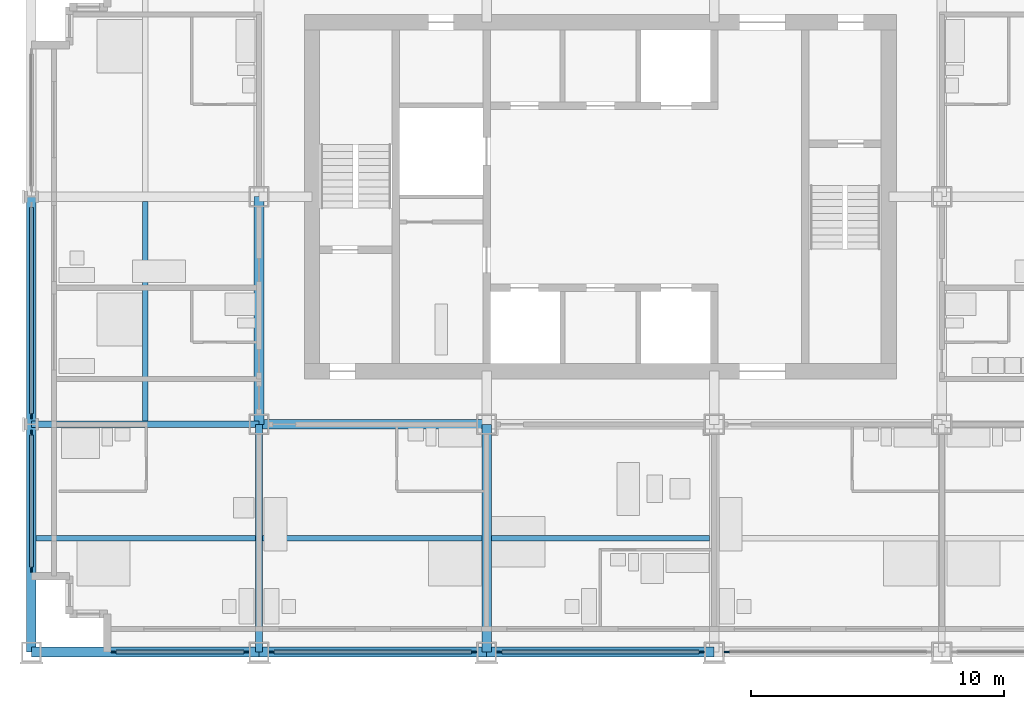
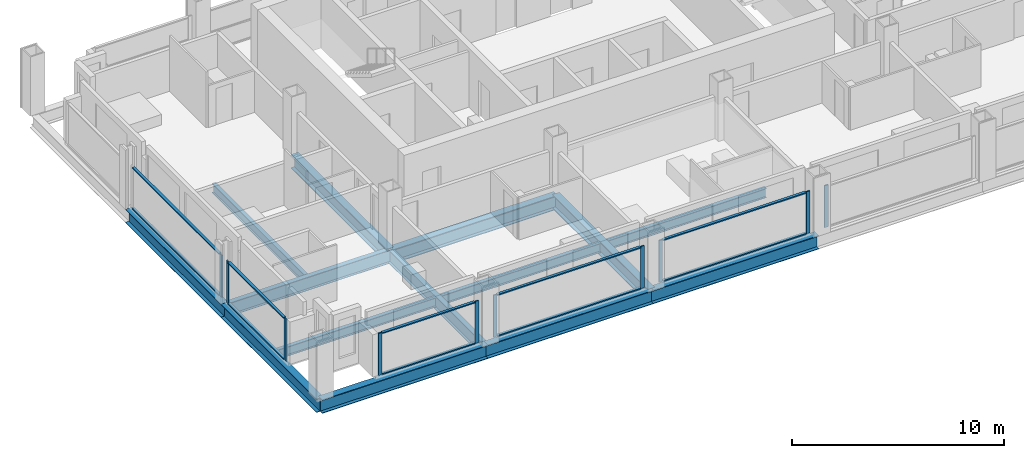
# One storey, part 2 of 13: 20 members, 14 beams, 6 elements without a shape of their own.
"""IFC4 building model written with IfcOpenShell, lengths in metres."""

import ifcopenshell
import ifcopenshell.guid

model = None  # the IFC model being written
_history = None  # IfcOwnerHistory: only IFC2X3 demands one
_inside = {}  # id of a spatial element -> (the spatial element, [elements in it])
_under = {}  # id of a project, library or spatial element -> (it, [spatial elements below it])
_declared = {}  # id of a project -> (the project, [libraries it declares])
_typed = {}  # id of a type object -> (the type object, [elements of that type])
_made_of = {}  # id of a material, layer set ... -> (it, [elements and type objects made of it])


def new_model(schema):
    """Start an empty IFC model of exactly this schema.

    Asked for "IFC4X3", IfcOpenShell would pick the latest addendum, in which some entities
    have other attributes; the version numbers below select the first issue.
    IFC2X3 requires an IfcOwnerHistory on every rooted entity: one is made here for all.
    """
    global model, _history
    if schema == "IFC4X3":
        model = ifcopenshell.file(schema_version=(4, 3, 0, 0))
    else:
        model = ifcopenshell.file(schema=schema)
    _inside.clear()
    _under.clear()
    _declared.clear()
    _typed.clear()
    _made_of.clear()
    _history = None
    if model.schema == "IFC2X3":
        org = make("IfcOrganization", Name="unknown")
        user = make(
            "IfcPersonAndOrganization",
            ThePerson=make("IfcPerson", FamilyName="unknown"),
            TheOrganization=org,
        )
        app = make(
            "IfcApplication",
            ApplicationDeveloper=org,
            Version="unknown",
            ApplicationFullName="unknown",
            ApplicationIdentifier="unknown",
        )
        _history = make(
            "IfcOwnerHistory",
            OwningUser=user,
            OwningApplication=app,
            ChangeAction="ADDED",
            CreationDate=0,
        )
    return model


def make(cls, **values):
    """One entity of the class cls with the attributes given. An attribute that is None is left unset."""
    return model.create_entity(
        cls, **{name: value for name, value in values.items() if value is not None}
    )


def rooted(cls, **values):
    """An entity with a GlobalId (a new one), such as an element, a storey or a relation."""
    return make(cls, GlobalId=ifcopenshell.guid.new(), OwnerHistory=_history, **values)


def si_unit(unit_type, name, prefix=None):
    """IfcSIUnit, for example si_unit("LENGTHUNIT", "METRE", prefix="MILLI")."""
    return make("IfcSIUnit", UnitType=unit_type, Prefix=prefix, Name=name)


def assignment(units):
    """IfcUnitAssignment: the units of a project."""
    return None if units is None else make("IfcUnitAssignment", Units=units)


def point(xyz):
    """IfcCartesianPoint."""
    return None if xyz is None else make("IfcCartesianPoint", Coordinates=xyz)


def direction(xyz):
    """IfcDirection."""
    return None if xyz is None else make("IfcDirection", DirectionRatios=xyz)


def frame(location, z_axis=None, x_axis=None):
    """IfcAxis2Placement3D, a coordinate frame: its origin and axes. An axis left out is left unset."""
    return make(
        "IfcAxis2Placement3D",
        Location=point(location),
        Axis=direction(z_axis),
        RefDirection=direction(x_axis),
    )


def frame_2d(location, x_axis=None):
    """IfcAxis2Placement2D, a coordinate frame in the plane: its origin and x axis."""
    return make(
        "IfcAxis2Placement2D", Location=point(location), RefDirection=direction(x_axis)
    )


def origin():
    """The frame at (0, 0, 0) with its axes left unset."""
    return frame((0.0, 0.0, 0.0))


def origin_2d():
    """The frame at (0, 0) in the plane with its x axis left unset."""
    return frame_2d((0.0, 0.0))


def place(relative_to, where):
    """IfcLocalPlacement: puts the frame where relative to a parent placement (None: the world)."""
    return make(
        "IfcLocalPlacement", PlacementRelTo=relative_to, RelativePlacement=where
    )


def context(
    kind, dimensions, precision=None, world=None, true_north=None, identifier=None
):
    """IfcGeometricRepresentationContext, for example the 3D "Model" context."""
    return make(
        "IfcGeometricRepresentationContext",
        ContextIdentifier=identifier,
        ContextType=kind,
        CoordinateSpaceDimension=dimensions,
        Precision=precision,
        WorldCoordinateSystem=world,
        TrueNorth=true_north,
    )


def subcontext(parent, identifier, kind, view, scale=None):
    """IfcGeometricRepresentationSubContext, for example "Body" below "Model"."""
    return make(
        "IfcGeometricRepresentationSubContext",
        ContextIdentifier=identifier,
        ContextType=kind,
        ParentContext=parent,
        TargetScale=scale,
        TargetView=view,
    )


def project(units=None, contexts=None):
    """IfcProject with its units and contexts."""
    return rooted(
        "IfcProject",
        Name="project",
        RepresentationContexts=contexts,
        UnitsInContext=assignment(units),
    )


def spatial(cls, under=None, at=None, **own):
    """A site, building, storey or space (cls), placed at a placement, below another one or the project."""
    s = rooted(cls, ObjectPlacement=at, **own)
    if under is not None:
        _under.setdefault(under.id(), (under, []))[1].append(s)
    return s


def profile(cls, at=None, kind="AREA", **sizes):
    """A parametric profile (cls). Its sizes go by their IFC names, for example OverallWidth=200.0."""
    return make(cls, ProfileType=kind, Position=at, **sizes)


def rectangle(**sizes):
    """IfcRectangleProfileDef."""
    return profile("IfcRectangleProfileDef", **sizes)


def i_section(**sizes):
    """IfcIShapeProfileDef."""
    return profile("IfcIShapeProfileDef", **sizes)


def extrude(swept, where, along, depth):
    """IfcExtrudedAreaSolid: the profile swept, set in the frame where, extruded along a direction by depth."""
    return make(
        "IfcExtrudedAreaSolid",
        SweptArea=swept,
        Position=where,
        ExtrudedDirection=direction(along),
        Depth=depth,
    )


def shape(context_of_items, identifier, shape_type, items):
    """IfcShapeRepresentation: the items that make up one representation, for example the "Body"."""
    return make(
        "IfcShapeRepresentation",
        ContextOfItems=context_of_items,
        RepresentationIdentifier=identifier,
        RepresentationType=shape_type,
        Items=items,
    )


def material(Name=None, Category=None):
    """IfcMaterial."""
    return make("IfcMaterial", Name=Name, Category=Category)


def material_profile(
    of_material, cross_section, Name=None, Category=None, Priority=None
):
    """IfcMaterialProfile: a cross section and its material."""
    return make(
        "IfcMaterialProfile",
        Name=Name,
        Material=of_material,
        Profile=cross_section,
        Priority=Priority,
        Category=Category,
    )


def profile_set(profiles, Name=None, composite=None):
    """IfcMaterialProfileSet."""
    return make(
        "IfcMaterialProfileSet",
        Name=Name,
        MaterialProfiles=profiles,
        CompositeProfile=composite,
    )


def made_of(thing, what):
    """Note that an element or type object is made of a material, layer set ...; save() writes the relation."""
    if what is not None:
        _made_of.setdefault(what.id(), (what, []))[1].append(thing)
    return thing


def type_object(cls, material=None, **own):
    """A type object (cls), such as IfcWallType, which elements share."""
    return made_of(rooted(cls, **own), material)


def element(
    cls,
    number,
    at=None,
    inside=None,
    cuts=None,
    type_object=None,
    material=None,
    context=None,
    identifier="Body",
    shape_type=None,
    held_by="IfcProductDefinitionShape",
    body=None,
    shapes=None,
    **own,
):
    """One element of the class cls, such as IfcWall. Its Tag is "e" and its number.

    at: its placement. inside: the storey or other place that contains it. cuts: it is an
    opening in that element (IfcRelVoidsElement). A single representation is given by context,
    identifier, shape_type and body (its items); several are given by shapes. held_by: the class
    of the entity that holds the representations. save() writes the other relations.
    """
    e = rooted(cls, Tag="e%d" % number, ObjectPlacement=at, **own)
    if body is not None:
        shapes = [shape(context, identifier, shape_type, body)]
    if shapes is not None:
        e.Representation = make(held_by, Representations=shapes)
    if inside is not None:
        _inside.setdefault(inside.id(), (inside, []))[1].append(e)
    if cuts is not None:
        rooted(
            "IfcRelVoidsElement", RelatingBuildingElement=cuts, RelatedOpeningElement=e
        )
    if type_object is not None:
        _typed.setdefault(type_object.id(), (type_object, []))[1].append(e)
    return made_of(e, material)


def aggregate(whole, parts):
    """IfcRelAggregates: a whole, such as a stair, and the parts it consists of."""
    return rooted("IfcRelAggregates", RelatingObject=whole, RelatedObjects=parts)


def save(model, path):
    """Write the relations noted so far, then the file.

    IfcRelAggregates (storeys below a building ...), IfcRelContainedInSpatialStructure (elements
    in a storey), IfcRelDefinesByType, IfcRelAssociatesMaterial and IfcRelDeclares: one each for
    every whole, place, type object, material and project.
    """
    for whole, parts in _under.values():
        aggregate(whole, parts)
    for where, things in _inside.values():
        rooted(
            "IfcRelContainedInSpatialStructure",
            RelatedElements=things,
            RelatingStructure=where,
        )
    for kind, things in _typed.values():
        rooted("IfcRelDefinesByType", RelatedObjects=things, RelatingType=kind)
    for what, things in _made_of.values():
        rooted("IfcRelAssociatesMaterial", RelatedObjects=things, RelatingMaterial=what)
    for by, libraries in _declared.values():
        rooted("IfcRelDeclares", RelatingContext=by, RelatedDefinitions=libraries)
    model.write(path)


model = new_model("IFC4")

# Units and contexts
model_context = context("Model", 3, precision=1e-05, world=origin(), true_north=direction((0.0, 1.0)))
body_context = subcontext(model_context, "Body", "Model", "MODEL_VIEW")
ifc_project = project(units=[si_unit("LENGTHUNIT", "METRE"), si_unit("AREAUNIT", "SQUARE_METRE"), si_unit("VOLUMEUNIT", "CUBIC_METRE"), si_unit("PLANEANGLEUNIT", "RADIAN"), si_unit("MASSUNIT", "GRAM", prefix="KILO")], contexts=[model_context])

# Site, building, storey
site_placement = place(None, origin())
site = spatial("IfcSite", under=ifc_project, at=site_placement, CompositionType="ELEMENT")
building_placement = place(site_placement, origin())
building = spatial("IfcBuilding", under=site, at=building_placement, Name="Loomwork Tower", CompositionType="ELEMENT")
storey_placement = place(building_placement, frame((0.0, 0.0, 174.0)))
storey = spatial("IfcBuildingStorey", under=building, at=storey_placement, Name="L47", CompositionType="ELEMENT", Elevation=174.0)

# Beams
ifc_material_1 = material(Name="Steel ASTM A992", Category="steel")
ifc_material_profile_1 = material_profile(ifc_material_1, i_section(OverallWidth=0.383544921875, OverallDepth=0.794921875, WebThickness=0.02099609375, FlangeThickness=0.0380859375, at=origin_2d()), Name="W30x235")
ifc_profile_set_1 = profile_set([ifc_material_profile_1], Name="Steel ASTM A992")
beam_type_1 = type_object("IfcBeamType", Name="CORE FLANK GIRDER W30x235", PredefinedType="BEAM", material=ifc_profile_set_1)
for number, where, z_axis, x_axis, name in (
    (1, (9.0, 9.0, -0.597412109375), (1.0, 0.0, 0.0), (0.0, 1.0, 0.0), "Core Flank Girder E/3-E/4 L47"),
    (2, (9.0, 9.0, -0.597412109375), (0.0, 1.0, 0.0), (-1.0, 0.0, 0.0), "Core Flank Girder E/3-F/3 L47"),
    (3, (18.0, 0.0, -0.597412109375), (0.0, 1.0, 0.0), (-1.0, 0.0, 0.0), "Core Flank Girder D/4-E/4 L47"),
):
    element("IfcBeam", number, at=place(storey_placement, frame(where, z_axis=z_axis, x_axis=x_axis)), inside=storey, type_object=beam_type_1, Name=name, PredefinedType="BEAM", context=body_context, shape_type="SweptSolid", body=[
        extrude(i_section(OverallWidth=0.383544921875, OverallDepth=0.794921875, WebThickness=0.02099609375, FlangeThickness=0.0380859375, at=origin_2d()), origin(), (0.0, 0.0, 1.0), 9.0),
    ])
ifc_material_2 = material(Name="Steel ASTM A992", Category="steel")
ifc_material_profile_2 = material_profile(ifc_material_2, i_section(OverallWidth=0.2666015625, OverallDepth=0.761962890625, WebThickness=0.014404296875, FlangeThickness=0.021484375, at=origin_2d()), Name="W30x116")
ifc_profile_set_2 = profile_set([ifc_material_profile_2], Name="Steel ASTM A992")
beam_type_2 = type_object("IfcBeamType", Name="FLOOR GIRDER W30x116", PredefinedType="BEAM", material=ifc_profile_set_2)
for number, where, z_axis, x_axis, name in (
    (4, (0.0, 9.0, -0.5810546875), (1.0, 0.0, 0.0), (0.0, 1.0, 0.0), "Floor Girder E/2-E/3 L47"),
    (5, (9.0, 0.0, -0.5810546875), (0.0, 1.0, 0.0), (-1.0, 0.0, 0.0), "Floor Girder D/3-E/3 L47"),
):
    element("IfcBeam", number, at=place(storey_placement, frame(where, z_axis=z_axis, x_axis=x_axis)), inside=storey, type_object=beam_type_2, Name=name, PredefinedType="BEAM", context=body_context, shape_type="SweptSolid", body=[
        extrude(i_section(OverallWidth=0.2666015625, OverallDepth=0.761962890625, WebThickness=0.014404296875, FlangeThickness=0.021484375, at=origin_2d()), origin(), (0.0, 0.0, 1.0), 9.0),
    ])
ifc_material_3 = material(Name="Steel ASTM A992", Category="steel")
ifc_material_profile_3 = material_profile(ifc_material_3, i_section(OverallWidth=0.2109375, OverallDepth=0.53857421875, WebThickness=0.011474609375, FlangeThickness=0.018798828125, at=origin_2d()), Name="W21x73")
ifc_profile_set_3 = profile_set([ifc_material_profile_3], Name="Steel ASTM A992")
beam_type_3 = type_object("IfcBeamType", Name="FLOOR JOIST W21x73", PredefinedType="JOIST", material=ifc_profile_set_3)
beam_1_placement = place(storey_placement, frame((0.18994140625, 4.5, -0.46923828125), z_axis=(1.0, 0.0, 0.0), x_axis=(0.0, 1.0, 0.0)))
element("IfcBeam", 6, at=beam_1_placement, inside=storey, type_object=beam_type_3, Name="Floor Joist 0.000,4.500-9.000,4.500 L47", PredefinedType="JOIST", context=body_context, shape_type="SweptSolid", body=[
    extrude(i_section(OverallWidth=0.2109375, OverallDepth=0.53857421875, WebThickness=0.011474609375, FlangeThickness=0.018798828125, at=origin_2d()), origin(), (0.0, 0.0, 1.0), 8.677001953125),
])
for number, where, z_axis, x_axis, name in (
    (7, (4.5, 9.133056640625, -0.46923828125), (0.0, 1.0, 0.0), (-1.0, 0.0, 0.0), "Floor Joist 4.500,9.000-4.500,18.000 L47"),
    (8, (9.133056640625, 4.5, -0.46923828125), (1.0, 0.0, 0.0), (0.0, 1.0, 0.0), "Floor Joist 9.000,4.500-18.000,4.500 L47"),
):
    element("IfcBeam", number, at=place(storey_placement, frame(where, z_axis=z_axis, x_axis=x_axis)), inside=storey, type_object=beam_type_3, Name=name, PredefinedType="JOIST", context=body_context, shape_type="SweptSolid", body=[
        extrude(i_section(OverallWidth=0.2109375, OverallDepth=0.53857421875, WebThickness=0.011474609375, FlangeThickness=0.018798828125, at=origin_2d()), origin(), (0.0, 0.0, 1.0), 8.676025390625),
    ])
beam_2_placement = place(storey_placement, frame((18.19091796875, 4.5, -0.46923828125), z_axis=(1.0, 0.0, 0.0), x_axis=(0.0, 1.0, 0.0)))
element("IfcBeam", 9, at=beam_2_placement, inside=storey, type_object=beam_type_3, Name="Floor Joist 18.000,4.500-27.000,4.500 L47", PredefinedType="JOIST", context=body_context, shape_type="SweptSolid", body=[
    extrude(i_section(OverallWidth=0.2109375, OverallDepth=0.53857421875, WebThickness=0.011474609375, FlangeThickness=0.018798828125, at=origin_2d()), origin(), (0.0, 0.0, 1.0), 8.6181640625),
])

# Curtain wall, members
ifc_material_4 = material(Name="Aluminium curtain wall frame", Category="aluminium")
curtain_wall_type = type_object("IfcCurtainWallType", Name="Outer skin glazing hotel", PredefinedType="NOTDEFINED", material=ifc_material_4)
curtain_wall_1_placement = place(storey_placement, origin())
curtain_wall_1 = element("IfcCurtainWall", 10, at=curtain_wall_1_placement, inside=storey, type_object=curtain_wall_type, Name="Outer skin glazing hotel cw/S-0", PredefinedType="NOTDEFINED")
ifc_material_5 = material(Name="Aluminium curtain wall frame", Category="aluminium")
ifc_material_profile_4 = material_profile(ifc_material_5, rectangle(XDim=0.06494140625, YDim=0.199951171875, at=origin_2d()), Name="AL 65x200")
ifc_profile_set_4 = profile_set([ifc_material_profile_4], Name="Aluminium curtain wall frame")
member_type_1 = type_object("IfcMemberType", Name="Outer skin glazing hotel mullion", PredefinedType="MULLION", material=ifc_profile_set_4)
member_1_placement = place(storey_placement, frame((3.25, 0.0, 0.0), z_axis=(0.0, 0.0, 1.0), x_axis=(0.0, 1.0, 0.0)))
member_1 = element("IfcMember", 11, at=member_1_placement, type_object=member_type_1, Name="CW1 mullion 1", PredefinedType="MULLION", context=body_context, shape_type="SweptSolid", body=[
    extrude(rectangle(XDim=0.06494140625, YDim=0.199951171875, at=origin_2d()), origin(), (0.0, 0.0, 1.0), 2.420166015625),
])
member_2_placement = place(storey_placement, frame((8.5, 0.0, 0.0), z_axis=(0.0, 0.0, 1.0), x_axis=(0.0, 1.0, 0.0)))
member_2 = element("IfcMember", 12, at=member_2_placement, type_object=member_type_1, Name="CW1 mullion 2", PredefinedType="MULLION", context=body_context, shape_type="SweptSolid", body=[
    extrude(rectangle(XDim=0.06494140625, YDim=0.199951171875, at=origin_2d()), origin(), (0.0, 0.0, 1.0), 2.420166015625),
])

curtain_wall_2_placement = place(storey_placement, origin())
curtain_wall_2 = element("IfcCurtainWall", 13, at=curtain_wall_2_placement, inside=storey, type_object=curtain_wall_type, Name="Outer skin glazing hotel cw/S-9", PredefinedType="NOTDEFINED")
member_3_placement = place(storey_placement, frame((9.5, 0.0, 0.0), z_axis=(0.0, 0.0, 1.0), x_axis=(0.0, 1.0, 0.0)))
member_3 = element("IfcMember", 14, at=member_3_placement, type_object=member_type_1, Name="CW1 mullion 1", PredefinedType="MULLION", context=body_context, shape_type="SweptSolid", body=[
    extrude(rectangle(XDim=0.06494140625, YDim=0.199951171875, at=origin_2d()), origin(), (0.0, 0.0, 1.0), 2.420166015625),
])
member_4_placement = place(storey_placement, frame((17.5, 0.0, 0.0), z_axis=(0.0, 0.0, 1.0), x_axis=(0.0, 1.0, 0.0)))
member_4 = element("IfcMember", 15, at=member_4_placement, type_object=member_type_1, Name="CW1 mullion 2", PredefinedType="MULLION", context=body_context, shape_type="SweptSolid", body=[
    extrude(rectangle(XDim=0.06494140625, YDim=0.199951171875, at=origin_2d()), origin(), (0.0, 0.0, 1.0), 2.420166015625),
])

curtain_wall_3_placement = place(storey_placement, origin())
curtain_wall_3 = element("IfcCurtainWall", 16, at=curtain_wall_3_placement, inside=storey, type_object=curtain_wall_type, Name="Outer skin glazing hotel cw/S-18", PredefinedType="NOTDEFINED")
member_5_placement = place(storey_placement, frame((18.5, 0.0, 0.0), z_axis=(0.0, 0.0, 1.0), x_axis=(0.0, 1.0, 0.0)))
member_5 = element("IfcMember", 17, at=member_5_placement, type_object=member_type_1, Name="CW1 mullion 1", PredefinedType="MULLION", context=body_context, shape_type="SweptSolid", body=[
    extrude(rectangle(XDim=0.06494140625, YDim=0.199951171875, at=origin_2d()), origin(), (0.0, 0.0, 1.0), 2.420166015625),
])
member_6_placement = place(storey_placement, frame((26.5, 0.0, 0.0), z_axis=(0.0, 0.0, 1.0), x_axis=(0.0, 1.0, 0.0)))
member_6 = element("IfcMember", 18, at=member_6_placement, type_object=member_type_1, Name="CW1 mullion 2", PredefinedType="MULLION", context=body_context, shape_type="SweptSolid", body=[
    extrude(rectangle(XDim=0.06494140625, YDim=0.199951171875, at=origin_2d()), origin(), (0.0, 0.0, 1.0), 2.420166015625),
])

# Curtain wall, member
curtain_wall_4_placement = place(storey_placement, origin())
curtain_wall_4 = element("IfcCurtainWall", 19, at=curtain_wall_4_placement, inside=storey, type_object=curtain_wall_type, Name="Outer skin glazing hotel cw/S-27", PredefinedType="NOTDEFINED")
member_7_placement = place(storey_placement, frame((27.5, 0.0, 0.0), z_axis=(0.0, 0.0, 1.0), x_axis=(0.0, 1.0, 0.0)))
member_7 = element("IfcMember", 20, at=member_7_placement, type_object=member_type_1, Name="CW1 mullion 1", PredefinedType="MULLION", context=body_context, shape_type="SweptSolid", body=[
    extrude(rectangle(XDim=0.06494140625, YDim=0.199951171875, at=origin_2d()), origin(), (0.0, 0.0, 1.0), 2.420166015625),
])
aggregate(curtain_wall_4, [member_7])

# Curtain wall, members
curtain_wall_5_placement = place(storey_placement, origin())
curtain_wall_5 = element("IfcCurtainWall", 21, at=curtain_wall_5_placement, inside=storey, type_object=curtain_wall_type, Name="Outer skin glazing hotel cw/W-0", PredefinedType="NOTDEFINED")
member_8_placement = place(storey_placement, frame((0.0, 8.67529296875, 0.0), z_axis=(0.0, 0.0, 1.0), x_axis=(1.0, 0.0, 0.0)))
member_8 = element("IfcMember", 22, at=member_8_placement, type_object=member_type_1, Name="CW1 mullion 1", PredefinedType="MULLION", context=body_context, shape_type="SweptSolid", body=[
    extrude(rectangle(XDim=0.06494140625, YDim=0.199951171875, at=origin_2d()), origin(), (0.0, 0.0, 1.0), 2.420166015625),
])
member_9_placement = place(storey_placement, frame((0.0, 3.25, 0.0), z_axis=(0.0, 0.0, 1.0), x_axis=(1.0, 0.0, 0.0)))
member_9 = element("IfcMember", 23, at=member_9_placement, type_object=member_type_1, Name="CW1 mullion 2", PredefinedType="MULLION", context=body_context, shape_type="SweptSolid", body=[
    extrude(rectangle(XDim=0.06494140625, YDim=0.199951171875, at=origin_2d()), origin(), (0.0, 0.0, 1.0), 2.420166015625),
])

# Curtain wall, member
curtain_wall_6_placement = place(storey_placement, origin())
curtain_wall_6 = element("IfcCurtainWall", 24, at=curtain_wall_6_placement, inside=storey, type_object=curtain_wall_type, Name="Outer skin glazing hotel cw/W-9", PredefinedType="NOTDEFINED")
member_10_placement = place(storey_placement, frame((0.0, 9.32470703125, 0.0), z_axis=(0.0, 0.0, 1.0), x_axis=(1.0, 0.0, 0.0)))
member_10 = element("IfcMember", 25, at=member_10_placement, type_object=member_type_1, Name="CW1 mullion 2", PredefinedType="MULLION", context=body_context, shape_type="SweptSolid", body=[
    extrude(rectangle(XDim=0.06494140625, YDim=0.199951171875, at=origin_2d()), origin(), (0.0, 0.0, 1.0), 2.420166015625),
])

# Member
ifc_material_6 = material(Name="Aluminium curtain wall frame", Category="aluminium")
ifc_material_profile_5 = material_profile(ifc_material_6, rectangle(XDim=0.14990234375, YDim=0.06494140625, at=origin_2d()), Name="AL 65x150")
ifc_profile_set_5 = profile_set([ifc_material_profile_5], Name="Aluminium curtain wall frame")
member_type_2 = type_object("IfcMemberType", Name="Outer skin glazing hotel transom", PredefinedType="USERDEFINED", material=ifc_profile_set_5)
member_11_placement = place(storey_placement, frame((3.35009765625, 0.0, 0.032470703125), z_axis=(1.0, 0.0, 0.0), x_axis=(0.0, 1.0, 0.0)))
member_11 = element("IfcMember", 26, at=member_11_placement, type_object=member_type_2, Name="CW1 transom 1.1", ObjectType="TRANSOM", PredefinedType="USERDEFINED", context=body_context, shape_type="SweptSolid", body=[
    extrude(rectangle(XDim=0.14990234375, YDim=0.06494140625, at=origin_2d()), origin(), (0.0, 0.0, 1.0), 5.0498046875),
])

member_12_placement = place(storey_placement, frame((3.35009765625, 0.0, 2.3876953125), z_axis=(1.0, 0.0, 0.0), x_axis=(0.0, 1.0, 0.0)))
member_12 = element("IfcMember", 27, at=member_12_placement, type_object=member_type_2, Name="CW1 transom 1.2", ObjectType="TRANSOM", PredefinedType="USERDEFINED", context=body_context, shape_type="SweptSolid", body=[
    extrude(rectangle(XDim=0.14990234375, YDim=0.06494140625, at=origin_2d()), origin(), (0.0, 0.0, 1.0), 5.0498046875),
])

aggregate(curtain_wall_1, [member_1, member_2, member_11, member_12])

member_13_placement = place(storey_placement, frame((9.60009765625, 0.0, 0.032470703125), z_axis=(1.0, 0.0, 0.0), x_axis=(0.0, 1.0, 0.0)))
member_13 = element("IfcMember", 28, at=member_13_placement, type_object=member_type_2, Name="CW1 transom 1.1", ObjectType="TRANSOM", PredefinedType="USERDEFINED", context=body_context, shape_type="SweptSolid", body=[
    extrude(rectangle(XDim=0.14990234375, YDim=0.06494140625, at=origin_2d()), origin(), (0.0, 0.0, 1.0), 7.7998046875),
])

member_14_placement = place(storey_placement, frame((9.60009765625, 0.0, 2.3876953125), z_axis=(1.0, 0.0, 0.0), x_axis=(0.0, 1.0, 0.0)))
member_14 = element("IfcMember", 29, at=member_14_placement, type_object=member_type_2, Name="CW1 transom 1.2", ObjectType="TRANSOM", PredefinedType="USERDEFINED", context=body_context, shape_type="SweptSolid", body=[
    extrude(rectangle(XDim=0.14990234375, YDim=0.06494140625, at=origin_2d()), origin(), (0.0, 0.0, 1.0), 7.7998046875),
])

aggregate(curtain_wall_2, [member_3, member_4, member_13, member_14])

member_15_placement = place(storey_placement, frame((18.60009765625, 0.0, 0.032470703125), z_axis=(1.0, 0.0, 0.0), x_axis=(0.0, 1.0, 0.0)))
member_15 = element("IfcMember", 30, at=member_15_placement, type_object=member_type_2, Name="CW1 transom 1.1", ObjectType="TRANSOM", PredefinedType="USERDEFINED", context=body_context, shape_type="SweptSolid", body=[
    extrude(rectangle(XDim=0.14990234375, YDim=0.06494140625, at=origin_2d()), origin(), (0.0, 0.0, 1.0), 7.7998046875),
])

member_16_placement = place(storey_placement, frame((18.60009765625, 0.0, 2.3876953125), z_axis=(1.0, 0.0, 0.0), x_axis=(0.0, 1.0, 0.0)))
member_16 = element("IfcMember", 31, at=member_16_placement, type_object=member_type_2, Name="CW1 transom 1.2", ObjectType="TRANSOM", PredefinedType="USERDEFINED", context=body_context, shape_type="SweptSolid", body=[
    extrude(rectangle(XDim=0.14990234375, YDim=0.06494140625, at=origin_2d()), origin(), (0.0, 0.0, 1.0), 7.7998046875),
])

aggregate(curtain_wall_3, [member_5, member_6, member_15, member_16])

member_17_placement = place(storey_placement, frame((0.0, 8.5751953125, 0.032470703125), z_axis=(0.0, -1.0, 0.0), x_axis=(1.0, 0.0, 0.0)))
member_17 = element("IfcMember", 32, at=member_17_placement, type_object=member_type_2, Name="CW1 transom 1.1", ObjectType="TRANSOM", PredefinedType="USERDEFINED", context=body_context, shape_type="SweptSolid", body=[
    extrude(rectangle(XDim=0.14990234375, YDim=0.06494140625, at=origin_2d()), origin(), (0.0, 0.0, 1.0), 5.22509765625),
])

member_18_placement = place(storey_placement, frame((0.0, 8.5751953125, 2.3876953125), z_axis=(0.0, -1.0, 0.0), x_axis=(1.0, 0.0, 0.0)))
member_18 = element("IfcMember", 33, at=member_18_placement, type_object=member_type_2, Name="CW1 transom 1.2", ObjectType="TRANSOM", PredefinedType="USERDEFINED", context=body_context, shape_type="SweptSolid", body=[
    extrude(rectangle(XDim=0.14990234375, YDim=0.06494140625, at=origin_2d()), origin(), (0.0, 0.0, 1.0), 5.22509765625),
])

aggregate(curtain_wall_5, [member_8, member_9, member_17, member_18])

member_19_placement = place(storey_placement, frame((0.0, 17.5751953125, 0.032470703125), z_axis=(0.0, -1.0, 0.0), x_axis=(1.0, 0.0, 0.0)))
member_19 = element("IfcMember", 34, at=member_19_placement, type_object=member_type_2, Name="CW1 transom 1.1", ObjectType="TRANSOM", PredefinedType="USERDEFINED", context=body_context, shape_type="SweptSolid", body=[
    extrude(rectangle(XDim=0.14990234375, YDim=0.06494140625, at=origin_2d()), origin(), (0.0, 0.0, 1.0), 8.150390625),
])

member_20_placement = place(storey_placement, frame((0.0, 17.5751953125, 2.3876953125), z_axis=(0.0, -1.0, 0.0), x_axis=(1.0, 0.0, 0.0)))
member_20 = element("IfcMember", 35, at=member_20_placement, type_object=member_type_2, Name="CW1 transom 1.2", ObjectType="TRANSOM", PredefinedType="USERDEFINED", context=body_context, shape_type="SweptSolid", body=[
    extrude(rectangle(XDim=0.14990234375, YDim=0.06494140625, at=origin_2d()), origin(), (0.0, 0.0, 1.0), 8.150390625),
])

aggregate(curtain_wall_6, [member_10, member_19, member_20])

# Beams
ifc_material_7 = material(Name="Steel ASTM A992", Category="steel")
ifc_material_profile_6 = material_profile(ifc_material_7, i_section(OverallWidth=0.381103515625, OverallDepth=0.77978515625, WebThickness=0.01806640625, FlangeThickness=0.0302734375, at=origin_2d()), Name="W30x191")
ifc_profile_set_6 = profile_set([ifc_material_profile_6], Name="Steel ASTM A992")
beam_type_4 = type_object("IfcBeamType", Name="SPANDREL GIRDER W30x191", PredefinedType="SPANDREL", material=ifc_profile_set_6)
for number, where, z_axis, x_axis, name in (
    (36, (0.0, 0.0, -0.58984375), (1.0, 0.0, 0.0), (0.0, 1.0, 0.0), "Spandrel Girder D/2-D/3 L47"),
    (37, (9.0, 0.0, -0.58984375), (1.0, 0.0, 0.0), (0.0, 1.0, 0.0), "Spandrel Girder D/3-D/4 L47"),
    (38, (18.0, 0.0, -0.58984375), (1.0, 0.0, 0.0), (0.0, 1.0, 0.0), "Spandrel Girder D/4-D/5 L47"),
    (39, (0.0, 0.0, -0.58984375), (0.0, 1.0, 0.0), (-1.0, 0.0, 0.0), "Spandrel Girder D/2-E/2 L47"),
    (40, (0.0, 9.0, -0.58984375), (0.0, 1.0, 0.0), (-1.0, 0.0, 0.0), "Spandrel Girder E/2-F/2 L47"),
):
    element("IfcBeam", number, at=place(storey_placement, frame(where, z_axis=z_axis, x_axis=x_axis)), inside=storey, type_object=beam_type_4, Name=name, PredefinedType="SPANDREL", context=body_context, shape_type="SweptSolid", body=[
        extrude(i_section(OverallWidth=0.381103515625, OverallDepth=0.77978515625, WebThickness=0.01806640625, FlangeThickness=0.0302734375, at=origin_2d()), origin(), (0.0, 0.0, 1.0), 9.0),
    ])

save(model, "model.ifc")
